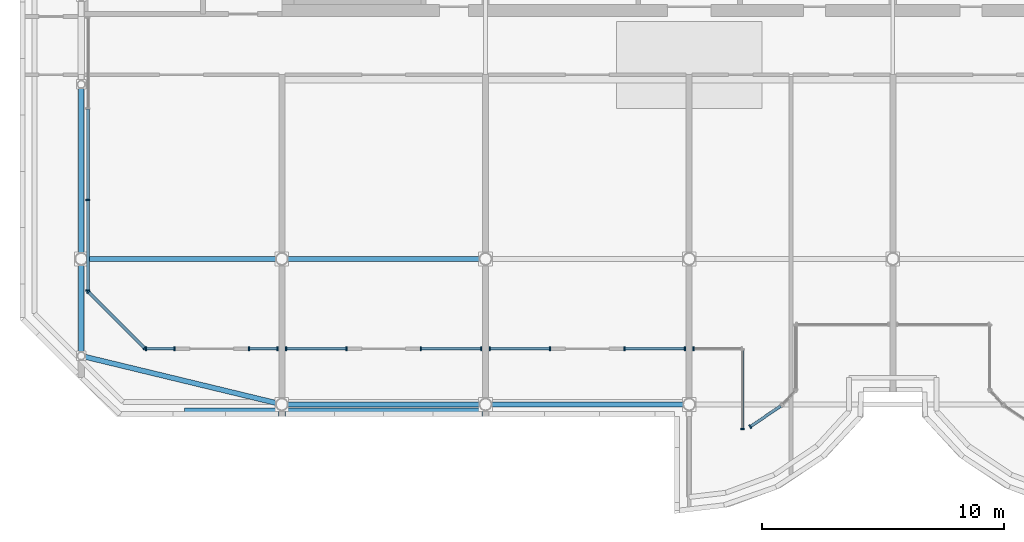
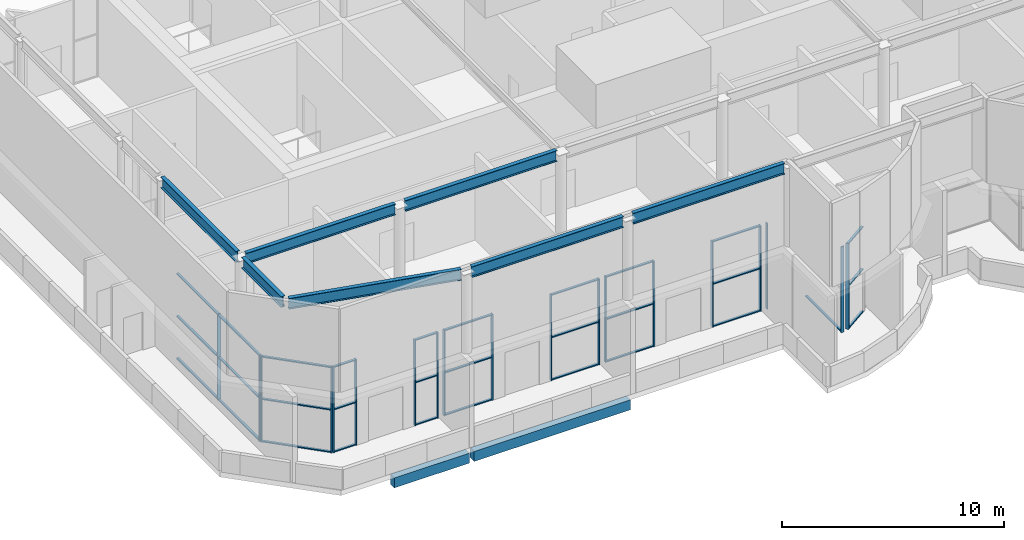
# One storey, part 6 of 25: 50 members, 9 beams, 11 elements without a shape of their own.
"""IFC4 building model written with IfcOpenShell, lengths in metres."""

from ifc_helpers import new_model, si_unit, direction, frame, origin, origin_2d, place, context, subcontext, project, spatial, rectangle, i_section, extrude, source, transform, mapped, material, material_profile, profile_set, type_object, element, aggregate, save


model = new_model("IFC4")

# Units and contexts
model_context = context("Model", 3, precision=1e-05, world=origin(), true_north=direction((0.0, 1.0)))
body_context = subcontext(model_context, "Body", "Model", "MODEL_VIEW")
ifc_project = project(units=[si_unit("LENGTHUNIT", "METRE"), si_unit("AREAUNIT", "SQUARE_METRE"), si_unit("VOLUMEUNIT", "CUBIC_METRE"), si_unit("PLANEANGLEUNIT", "RADIAN"), si_unit("MASSUNIT", "GRAM", prefix="KILO")], contexts=[model_context])

# Site, building, storey
site_placement = place(None, origin())
site = spatial("IfcSite", under=ifc_project, at=site_placement, CompositionType="ELEMENT")
building_placement = place(site_placement, origin())
building = spatial("IfcBuilding", under=site, at=building_placement, Name="Vanashikhar Sky Hotel", CompositionType="ELEMENT")
storey_placement = place(building_placement, frame((0.0, 0.0, 329.699951171875)))
storey = spatial("IfcBuildingStorey", under=building, at=storey_placement, Name="L78", CompositionType="ELEMENT", Elevation=329.699951171875)

# Beams
ifc_material_1 = material(Name="Concrete M50", Category="concrete")
ifc_material_profile_1 = material_profile(ifc_material_1, rectangle(XDim=0.35009765625, YDim=0.550048828125, at=origin_2d()))
ifc_profile_set_1 = profile_set([ifc_material_profile_1], Name="RC 350x550 beam Concrete M50")
beam_type_1 = type_object("IfcBeamType", Name="RC 350x550 beam Concrete M50", PredefinedType="SPANDREL", material=ifc_profile_set_1)
shared_shape_1 = source(origin(), body_context, "Body", "SweptSolid", [
    extrude(rectangle(XDim=0.35009765625, YDim=0.550048828125, at=origin_2d()), origin(), (0.0, 0.0, 1.0), 8.150146484375),
])
beam_1_placement = place(storey_placement, frame((25.324951171875, 5.675048828125, -0.554931640625), z_axis=(1.0, 0.0, 0.0), x_axis=(0.0, 1.0, 0.0)))
element("IfcBeam", 1, at=beam_1_placement, inside=storey, type_object=beam_type_1, Name="EB-L78-F01", PredefinedType="SPANDREL", context=body_context, shape_type="MappedRepresentation", body=[
    mapped(shared_shape_1, transform((0.0, 0.0, 0.0), scale=1.0)),
])
ifc_material_profile_2 = material_profile(ifc_material_1, rectangle(XDim=0.35009765625, YDim=0.550048828125, at=origin_2d()))
ifc_profile_set_2 = profile_set([ifc_material_profile_2], Name="RC 350x550 cantilever beam Concrete M50")
beam_type_2 = type_object("IfcBeamType", Name="RC 350x550 cantilever beam Concrete M50", PredefinedType="SPANDREL", material=ifc_profile_set_2)
shared_shape_2 = source(origin(), body_context, "Body", "SweptSolid", [
    extrude(rectangle(XDim=0.35009765625, YDim=0.550048828125, at=origin_2d()), origin(), (0.0, 0.0, 1.0), 3.89990234375),
])
beam_2_placement = place(storey_placement, frame((21.175048828125, 5.675048828125, -0.554931640625), z_axis=(1.0, 0.0, 0.0), x_axis=(0.0, 1.0, 0.0)))
element("IfcBeam", 2, at=beam_2_placement, inside=storey, type_object=beam_type_2, Name="EB-L78-F02", PredefinedType="SPANDREL", context=body_context, shape_type="MappedRepresentation", body=[
    mapped(shared_shape_2, transform((0.0, 0.0, 0.0), scale=1.0)),
])
ifc_material_2 = material(Name="Steel S355", Category="steel")
ifc_material_profile_3 = material_profile(ifc_material_2, i_section(OverallWidth=0.2099609375, OverallDepth=0.60009765625, WebThickness=0.011962890625, FlangeThickness=0.020751953125, at=origin_2d()), Name="ISMB 600")
ifc_profile_set_3 = profile_set([ifc_material_profile_3], Name="Steel S355")
beam_type_3 = type_object("IfcBeamType", Name="ISMB 600 Steel S355", PredefinedType="BEAM", material=ifc_profile_set_3)
shared_shape_3 = source(origin(), body_context, "Body", "SweptSolid", [
    extrude(i_section(OverallWidth=0.2099609375, OverallDepth=0.60009765625, WebThickness=0.011962890625, FlangeThickness=0.020751953125, at=origin_2d()), origin(), (0.0, 0.0, 1.0), 3.583984375),
])
beam_3_placement = place(storey_placement, frame((16.925048828125, 8.162109375, 9.300048828125), z_axis=(0.0, 1.0, 0.0), x_axis=(-1.0, 0.0, 0.0)))
element("IfcBeam", 3, at=beam_3_placement, inside=storey, type_object=beam_type_3, Name="CR-L78-W101", PredefinedType="BEAM", context=body_context, shape_type="MappedRepresentation", body=[
    mapped(shared_shape_3, transform((0.0, 0.0, 0.0), scale=1.0)),
])
shared_shape_4 = source(origin(), body_context, "Body", "SweptSolid", [
    extrude(i_section(OverallWidth=0.2099609375, OverallDepth=0.60009765625, WebThickness=0.011962890625, FlangeThickness=0.020751953125, at=origin_2d()), origin(), (0.0, 0.0, 1.0), 6.7841796875),
])
beam_4_placement = place(storey_placement, frame((16.925048828125, 12.25390625, 9.300048828125), z_axis=(0.0, 1.0, 0.0), x_axis=(-1.0, 0.0, 0.0)))
element("IfcBeam", 4, at=beam_4_placement, inside=storey, type_object=beam_type_3, Name="CR-L78-W102", PredefinedType="BEAM", context=body_context, shape_type="MappedRepresentation", body=[
    mapped(shared_shape_4, transform((0.0, 0.0, 0.0), scale=1.0)),
])
shared_shape_5 = source(origin(), body_context, "Body", "SweptSolid", [
    extrude(i_section(OverallWidth=0.2099609375, OverallDepth=0.60009765625, WebThickness=0.011962890625, FlangeThickness=0.020751953125, at=origin_2d()), origin(), (0.0, 0.0, 1.0), 8.09716796875),
])
beam_5_placement = place(storey_placement, frame((17.08251953125, 7.9619140625, 9.300048828125), z_axis=(0.972017430983, -0.234908735182, 0.0), x_axis=(0.234908735182, 0.972017430983, 0.0)))
element("IfcBeam", 5, at=beam_5_placement, inside=storey, type_object=beam_type_3, Name="CR-L78-WF1", PredefinedType="BEAM", context=body_context, shape_type="MappedRepresentation", body=[
    mapped(shared_shape_5, transform((0.0, 0.0, 0.0), scale=1.0)),
])
shared_shape_6 = source(origin(), body_context, "Body", "SweptSolid", [
    extrude(i_section(OverallWidth=0.2099609375, OverallDepth=0.60009765625, WebThickness=0.011962890625, FlangeThickness=0.020751953125, at=origin_2d()), origin(), (0.0, 0.0, 1.0), 7.891845703125),
])
for number, where, z_axis, x_axis, name in (
    (6, (25.4541015625, 6.0, 9.300048828125), (1.0, 0.0, 0.0), (0.0, 1.0, 0.0), "CR-L78-X01"),
    (7, (25.4541015625, 12.0, 9.300048828125), (1.0, 0.0, 0.0), (0.0, 1.0, 0.0), "CR-L78-X07"),
):
    element("IfcBeam", number, at=place(storey_placement, frame(where, z_axis=z_axis, x_axis=x_axis)), inside=storey, type_object=beam_type_3, Name=name, PredefinedType="BEAM", context=body_context, shape_type="MappedRepresentation", body=[
        mapped(shared_shape_6, transform((0.0, 0.0, 0.0), scale=1.0)),
    ])
shared_shape_7 = source(origin(), body_context, "Body", "SweptSolid", [
    extrude(i_section(OverallWidth=0.2099609375, OverallDepth=0.60009765625, WebThickness=0.011962890625, FlangeThickness=0.020751953125, at=origin_2d()), origin(), (0.0, 0.0, 1.0), 7.89208984375),
])
beam_6_placement = place(storey_placement, frame((33.85400390625, 6.0, 9.300048828125), z_axis=(1.0, 0.0, 0.0), x_axis=(0.0, 1.0, 0.0)))
element("IfcBeam", 8, at=beam_6_placement, inside=storey, type_object=beam_type_3, Name="CR-L78-X02", PredefinedType="BEAM", context=body_context, shape_type="MappedRepresentation", body=[
    mapped(shared_shape_7, transform((0.0, 0.0, 0.0), scale=1.0)),
])
shared_shape_8 = source(origin(), body_context, "Body", "SweptSolid", [
    extrude(i_section(OverallWidth=0.2099609375, OverallDepth=0.60009765625, WebThickness=0.011962890625, FlangeThickness=0.020751953125, at=origin_2d()), origin(), (0.0, 0.0, 1.0), 7.76708984375),
])
beam_7_placement = place(storey_placement, frame((17.178955078125, 12.0, 9.300048828125), z_axis=(1.0, 0.0, 0.0), x_axis=(0.0, 1.0, 0.0)))
element("IfcBeam", 9, at=beam_7_placement, inside=storey, type_object=beam_type_3, Name="CR-L78-X06", PredefinedType="BEAM", context=body_context, shape_type="MappedRepresentation", body=[
    mapped(shared_shape_8, transform((0.0, 0.0, 0.0), scale=1.0)),
])

# Curtain wall, members
ifc_material_3 = material(Name="Glass", Category="glass")
curtain_wall_type = type_object("IfcCurtainWallType", Name="Observation enclosure", PredefinedType="NOTDEFINED", material=ifc_material_3)
curtain_wall_1_placement = place(storey_placement, origin())
curtain_wall_1 = element("IfcCurtainWall", 10, at=curtain_wall_1_placement, inside=storey, type_object=curtain_wall_type, Name="Observation enclosure", PredefinedType="NOTDEFINED")
ifc_material_4 = material(Name="Aluminium 6063-T6", Category="aluminium")
ifc_material_profile_4 = material_profile(ifc_material_4, rectangle(XDim=0.159912109375, YDim=0.06005859375, at=origin_2d()))
ifc_profile_set_4 = profile_set([ifc_material_profile_4], Name="Aluminium 6063-T6")
member_type_1 = type_object("IfcMemberType", Name="Observation mullion 60 x 160", PredefinedType="MULLION", material=ifc_profile_set_4)
shared_shape_9 = source(origin(), body_context, "Body", "SweptSolid", [
    extrude(rectangle(XDim=0.159912109375, YDim=0.06005859375, at=origin_2d()), origin(), (0.0, 0.0, 1.0), 4.719970703125),
])
member_1_placement = place(storey_placement, frame((17.199951171875, 14.43310546875, 0.0), z_axis=(0.0, 0.0, 1.0), x_axis=(1.0, 0.0, 0.0)))
member_1 = element("IfcMember", 11, at=member_1_placement, type_object=member_type_1, Name="CW-6 mullion 3", PredefinedType="MULLION", context=body_context, shape_type="MappedRepresentation", body=[
    mapped(shared_shape_9, transform((0.0, 0.0, 0.0), scale=1.0)),
])
member_2_placement = place(storey_placement, frame((17.199951171875, 10.689697265625, 0.0), z_axis=(0.0, 0.0, 1.0), x_axis=(1.0, 0.0, 0.0)))
member_2 = element("IfcMember", 12, at=member_2_placement, type_object=member_type_1, Name="CW-6 mullion 4", PredefinedType="MULLION", context=body_context, shape_type="MappedRepresentation", body=[
    mapped(shared_shape_9, transform((0.0, 0.0, 0.0), scale=1.0)),
])

curtain_wall_2_placement = place(storey_placement, origin())
curtain_wall_2 = element("IfcCurtainWall", 13, at=curtain_wall_2_placement, inside=storey, type_object=curtain_wall_type, Name="Observation enclosure", PredefinedType="NOTDEFINED")
member_3_placement = place(storey_placement, frame((17.22119140625, 10.638671875, 0.0), z_axis=(0.0, 0.0, 1.0), x_axis=(0.707106781187, 0.707106781187, 0.0)))
member_3 = element("IfcMember", 14, at=member_3_placement, type_object=member_type_1, Name="CW-6 mullion 1", PredefinedType="MULLION", context=body_context, shape_type="MappedRepresentation", body=[
    mapped(shared_shape_9, transform((0.0, 0.0, 0.0), scale=1.0)),
])
member_4_placement = place(storey_placement, frame((19.53857421875, 8.3212890625, 0.0), z_axis=(0.0, 0.0, 1.0), x_axis=(0.707106781187, 0.707106781187, 0.0)))
member_4 = element("IfcMember", 15, at=member_4_placement, type_object=member_type_1, Name="CW-6 mullion 2", PredefinedType="MULLION", context=body_context, shape_type="MappedRepresentation", body=[
    mapped(shared_shape_9, transform((0.0, 0.0, 0.0), scale=1.0)),
])

curtain_wall_3_placement = place(storey_placement, origin())
curtain_wall_3 = element("IfcCurtainWall", 16, at=curtain_wall_3_placement, inside=storey, type_object=curtain_wall_type, Name="Observation enclosure", PredefinedType="NOTDEFINED")
member_5_placement = place(storey_placement, frame((19.58984375, 8.300048828125, 0.0), z_axis=(0.0, 0.0, 1.0), x_axis=(0.0, 1.0, 0.0)))
member_5 = element("IfcMember", 17, at=member_5_placement, type_object=member_type_1, Name="CW-6 mullion 1", PredefinedType="MULLION", context=body_context, shape_type="MappedRepresentation", body=[
    mapped(shared_shape_9, transform((0.0, 0.0, 0.0), scale=1.0)),
])
member_6_placement = place(storey_placement, frame((20.77734375, 8.300048828125, 0.0), z_axis=(0.0, 0.0, 1.0), x_axis=(0.0, 1.0, 0.0)))
member_6 = element("IfcMember", 18, at=member_6_placement, type_object=member_type_1, Name="CW-6 mullion 2", PredefinedType="MULLION", context=body_context, shape_type="MappedRepresentation", body=[
    mapped(shared_shape_9, transform((0.0, 0.0, 0.0), scale=1.0)),
])

curtain_wall_4_placement = place(storey_placement, origin())
curtain_wall_4 = element("IfcCurtainWall", 19, at=curtain_wall_4_placement, inside=storey, type_object=curtain_wall_type, Name="Observation enclosure", PredefinedType="NOTDEFINED")
member_7_placement = place(storey_placement, frame((23.83740234375, 8.300048828125, 0.0), z_axis=(0.0, 0.0, 1.0), x_axis=(0.0, 1.0, 0.0)))
member_7 = element("IfcMember", 20, at=member_7_placement, type_object=member_type_1, Name="CW-6 mullion 1", PredefinedType="MULLION", context=body_context, shape_type="MappedRepresentation", body=[
    mapped(shared_shape_9, transform((0.0, 0.0, 0.0), scale=1.0)),
])
member_8_placement = place(storey_placement, frame((25.02490234375, 8.300048828125, 0.0), z_axis=(0.0, 0.0, 1.0), x_axis=(0.0, 1.0, 0.0)))
member_8 = element("IfcMember", 21, at=member_8_placement, type_object=member_type_1, Name="CW-6 mullion 2", PredefinedType="MULLION", context=body_context, shape_type="MappedRepresentation", body=[
    mapped(shared_shape_9, transform((0.0, 0.0, 0.0), scale=1.0)),
])

curtain_wall_5_placement = place(storey_placement, origin())
curtain_wall_5 = element("IfcCurtainWall", 22, at=curtain_wall_5_placement, inside=storey, type_object=curtain_wall_type, Name="Observation enclosure", PredefinedType="NOTDEFINED")
member_9_placement = place(storey_placement, frame((25.375, 8.300048828125, 0.0), z_axis=(0.0, 0.0, 1.0), x_axis=(0.0, 1.0, 0.0)))
member_9 = element("IfcMember", 23, at=member_9_placement, type_object=member_type_1, Name="CW-6 mullion 1", PredefinedType="MULLION", context=body_context, shape_type="MappedRepresentation", body=[
    mapped(shared_shape_9, transform((0.0, 0.0, 0.0), scale=1.0)),
])
member_10_placement = place(storey_placement, frame((27.8701171875, 8.300048828125, 0.0), z_axis=(0.0, 0.0, 1.0), x_axis=(0.0, 1.0, 0.0)))
member_10 = element("IfcMember", 24, at=member_10_placement, type_object=member_type_1, Name="CW-6 mullion 2", PredefinedType="MULLION", context=body_context, shape_type="MappedRepresentation", body=[
    mapped(shared_shape_9, transform((0.0, 0.0, 0.0), scale=1.0)),
])

curtain_wall_6_placement = place(storey_placement, origin())
curtain_wall_6 = element("IfcCurtainWall", 25, at=curtain_wall_6_placement, inside=storey, type_object=curtain_wall_type, Name="Observation enclosure", PredefinedType="NOTDEFINED")
member_11_placement = place(storey_placement, frame((30.929931640625, 8.300048828125, 0.0), z_axis=(0.0, 0.0, 1.0), x_axis=(0.0, 1.0, 0.0)))
member_11 = element("IfcMember", 26, at=member_11_placement, type_object=member_type_1, Name="CW-6 mullion 1", PredefinedType="MULLION", context=body_context, shape_type="MappedRepresentation", body=[
    mapped(shared_shape_9, transform((0.0, 0.0, 0.0), scale=1.0)),
])
member_12_placement = place(storey_placement, frame((33.425048828125, 8.300048828125, 0.0), z_axis=(0.0, 0.0, 1.0), x_axis=(0.0, 1.0, 0.0)))
member_12 = element("IfcMember", 27, at=member_12_placement, type_object=member_type_1, Name="CW-6 mullion 2", PredefinedType="MULLION", context=body_context, shape_type="MappedRepresentation", body=[
    mapped(shared_shape_9, transform((0.0, 0.0, 0.0), scale=1.0)),
])

curtain_wall_7_placement = place(storey_placement, origin())
curtain_wall_7 = element("IfcCurtainWall", 28, at=curtain_wall_7_placement, inside=storey, type_object=curtain_wall_type, Name="Observation enclosure", PredefinedType="NOTDEFINED")
member_13_placement = place(storey_placement, frame((33.77490234375, 8.300048828125, 0.0), z_axis=(0.0, 0.0, 1.0), x_axis=(0.0, 1.0, 0.0)))
member_13 = element("IfcMember", 29, at=member_13_placement, type_object=member_type_1, Name="CW-6 mullion 1", PredefinedType="MULLION", context=body_context, shape_type="MappedRepresentation", body=[
    mapped(shared_shape_9, transform((0.0, 0.0, 0.0), scale=1.0)),
])
member_14_placement = place(storey_placement, frame((36.27001953125, 8.300048828125, 0.0), z_axis=(0.0, 0.0, 1.0), x_axis=(0.0, 1.0, 0.0)))
member_14 = element("IfcMember", 30, at=member_14_placement, type_object=member_type_1, Name="CW-6 mullion 2", PredefinedType="MULLION", context=body_context, shape_type="MappedRepresentation", body=[
    mapped(shared_shape_9, transform((0.0, 0.0, 0.0), scale=1.0)),
])

curtain_wall_8_placement = place(storey_placement, origin())
curtain_wall_8 = element("IfcCurtainWall", 31, at=curtain_wall_8_placement, inside=storey, type_object=curtain_wall_type, Name="Observation enclosure", PredefinedType="NOTDEFINED")
member_15_placement = place(storey_placement, frame((39.330078125, 8.300048828125, 0.0), z_axis=(0.0, 0.0, 1.0), x_axis=(0.0, 1.0, 0.0)))
member_15 = element("IfcMember", 32, at=member_15_placement, type_object=member_type_1, Name="CW-6 mullion 1", PredefinedType="MULLION", context=body_context, shape_type="MappedRepresentation", body=[
    mapped(shared_shape_9, transform((0.0, 0.0, 0.0), scale=1.0)),
])
member_16_placement = place(storey_placement, frame((41.824951171875, 8.300048828125, 0.0), z_axis=(0.0, 0.0, 1.0), x_axis=(0.0, 1.0, 0.0)))
member_16 = element("IfcMember", 33, at=member_16_placement, type_object=member_type_1, Name="CW-6 mullion 2", PredefinedType="MULLION", context=body_context, shape_type="MappedRepresentation", body=[
    mapped(shared_shape_9, transform((0.0, 0.0, 0.0), scale=1.0)),
])

# Curtain wall, member
curtain_wall_9_placement = place(storey_placement, origin())
curtain_wall_9 = element("IfcCurtainWall", 34, at=curtain_wall_9_placement, inside=storey, type_object=curtain_wall_type, Name="Observation enclosure", PredefinedType="NOTDEFINED")
member_17_placement = place(storey_placement, frame((42.175048828125, 8.300048828125, 0.0), z_axis=(0.0, 0.0, 1.0), x_axis=(0.0, 1.0, 0.0)))
member_17 = element("IfcMember", 35, at=member_17_placement, type_object=member_type_1, Name="CW-6 mullion 1", PredefinedType="MULLION", context=body_context, shape_type="MappedRepresentation", body=[
    mapped(shared_shape_9, transform((0.0, 0.0, 0.0), scale=1.0)),
])
aggregate(curtain_wall_9, [member_17])

curtain_wall_10_placement = place(storey_placement, origin())
curtain_wall_10 = element("IfcCurtainWall", 36, at=curtain_wall_10_placement, inside=storey, type_object=curtain_wall_type, Name="Observation enclosure", PredefinedType="NOTDEFINED")
member_18_placement = place(storey_placement, frame((44.199951171875, 4.9873046875, 0.0), z_axis=(0.0, 0.0, 1.0), x_axis=(1.0, 0.0, 0.0)))
member_18 = element("IfcMember", 37, at=member_18_placement, type_object=member_type_1, Name="CW-6 mullion 2", PredefinedType="MULLION", context=body_context, shape_type="MappedRepresentation", body=[
    mapped(shared_shape_9, transform((0.0, 0.0, 0.0), scale=1.0)),
])

curtain_wall_11_placement = place(storey_placement, origin())
curtain_wall_11 = element("IfcCurtainWall", 38, at=curtain_wall_11_placement, inside=storey, type_object=curtain_wall_type, Name="Observation enclosure", PredefinedType="NOTDEFINED")
member_19_placement = place(storey_placement, frame((44.521240234375, 5.083740234375, 0.0), z_axis=(0.0, 0.0, 1.0), x_axis=(-0.558363167868, 0.829596632568, 0.0)))
member_19 = element("IfcMember", 39, at=member_19_placement, type_object=member_type_1, Name="CW-6 mullion 1", PredefinedType="MULLION", context=body_context, shape_type="MappedRepresentation", body=[
    mapped(shared_shape_9, transform((0.0, 0.0, 0.0), scale=1.0)),
])

# Member
ifc_material_profile_5 = material_profile(ifc_material_4, rectangle(XDim=0.1201171875, YDim=0.06005859375, at=origin_2d()))
ifc_profile_set_5 = profile_set([ifc_material_profile_5], Name="Aluminium 6063-T6")
member_type_2 = type_object("IfcMemberType", Name="Observation transom 60 x 120", PredefinedType="USERDEFINED", material=ifc_profile_set_5)
shared_shape_10 = source(origin(), body_context, "Body", "SweptSolid", [
    extrude(rectangle(XDim=0.1201171875, YDim=0.06005859375, at=origin_2d()), origin(), (0.0, 0.0, 1.0), 3.21728515625),
])
member_20_placement = place(storey_placement, frame((17.242431640625, 10.617431640625, 0.030029296875), z_axis=(0.707106781187, -0.707106781187, 0.0), x_axis=(0.707106781187, 0.707106781187, 0.0)))
member_20 = element("IfcMember", 40, at=member_20_placement, type_object=member_type_2, Name="CW-6 transom 1.1", ObjectType="TRANSOM", PredefinedType="USERDEFINED", context=body_context, shape_type="MappedRepresentation", body=[
    mapped(shared_shape_10, transform((0.0, 0.0, 0.0), scale=1.0)),
])

member_21_placement = place(storey_placement, frame((17.242431640625, 10.617431640625, 2.360107421875), z_axis=(0.707106781187, -0.707106781187, 0.0), x_axis=(0.707106781187, 0.707106781187, 0.0)))
member_21 = element("IfcMember", 41, at=member_21_placement, type_object=member_type_2, Name="CW-6 transom 1.2", ObjectType="TRANSOM", PredefinedType="USERDEFINED", context=body_context, shape_type="MappedRepresentation", body=[
    mapped(shared_shape_10, transform((0.0, 0.0, 0.0), scale=1.0)),
])

member_22_placement = place(storey_placement, frame((17.242431640625, 10.617431640625, 4.68994140625), z_axis=(0.707106781187, -0.707106781187, 0.0), x_axis=(0.707106781187, 0.707106781187, 0.0)))
member_22 = element("IfcMember", 42, at=member_22_placement, type_object=member_type_2, Name="CW-6 transom 1.3", ObjectType="TRANSOM", PredefinedType="USERDEFINED", context=body_context, shape_type="MappedRepresentation", body=[
    mapped(shared_shape_10, transform((0.0, 0.0, 0.0), scale=1.0)),
])

aggregate(curtain_wall_2, [member_3, member_4, member_20, member_21, member_22])

shared_shape_11 = source(origin(), body_context, "Body", "SweptSolid", [
    extrude(rectangle(XDim=0.1201171875, YDim=0.06005859375, at=origin_2d()), origin(), (0.0, 0.0, 1.0), 3.71337890625),
])
member_23_placement = place(storey_placement, frame((17.199951171875, 18.176513671875, 0.030029296875), z_axis=(0.0, -1.0, 0.0), x_axis=(1.0, 0.0, 0.0)))
member_23 = element("IfcMember", 43, at=member_23_placement, type_object=member_type_2, Name="CW-6 transom 2.1", ObjectType="TRANSOM", PredefinedType="USERDEFINED", context=body_context, shape_type="MappedRepresentation", body=[
    mapped(shared_shape_11, transform((0.0, 0.0, 0.0), scale=1.0)),
])

member_24_placement = place(storey_placement, frame((17.199951171875, 18.176513671875, 2.360107421875), z_axis=(0.0, -1.0, 0.0), x_axis=(1.0, 0.0, 0.0)))
member_24 = element("IfcMember", 44, at=member_24_placement, type_object=member_type_2, Name="CW-6 transom 2.2", ObjectType="TRANSOM", PredefinedType="USERDEFINED", context=body_context, shape_type="MappedRepresentation", body=[
    mapped(shared_shape_11, transform((0.0, 0.0, 0.0), scale=1.0)),
])

member_25_placement = place(storey_placement, frame((17.199951171875, 18.176513671875, 4.68994140625), z_axis=(0.0, -1.0, 0.0), x_axis=(1.0, 0.0, 0.0)))
member_25 = element("IfcMember", 45, at=member_25_placement, type_object=member_type_2, Name="CW-6 transom 2.3", ObjectType="TRANSOM", PredefinedType="USERDEFINED", context=body_context, shape_type="MappedRepresentation", body=[
    mapped(shared_shape_11, transform((0.0, 0.0, 0.0), scale=1.0)),
])

shared_shape_12 = source(origin(), body_context, "Body", "SweptSolid", [
    extrude(rectangle(XDim=0.1201171875, YDim=0.06005859375, at=origin_2d()), origin(), (0.0, 0.0, 1.0), 3.68359375),
])
member_26_placement = place(storey_placement, frame((17.199951171875, 14.4033203125, 0.030029296875), z_axis=(0.0, -1.0, 0.0), x_axis=(1.0, 0.0, 0.0)))
member_26 = element("IfcMember", 46, at=member_26_placement, type_object=member_type_2, Name="CW-6 transom 3.1", ObjectType="TRANSOM", PredefinedType="USERDEFINED", context=body_context, shape_type="MappedRepresentation", body=[
    mapped(shared_shape_12, transform((0.0, 0.0, 0.0), scale=1.0)),
])

member_27_placement = place(storey_placement, frame((17.199951171875, 14.4033203125, 2.360107421875), z_axis=(0.0, -1.0, 0.0), x_axis=(1.0, 0.0, 0.0)))
member_27 = element("IfcMember", 47, at=member_27_placement, type_object=member_type_2, Name="CW-6 transom 3.2", ObjectType="TRANSOM", PredefinedType="USERDEFINED", context=body_context, shape_type="MappedRepresentation", body=[
    mapped(shared_shape_12, transform((0.0, 0.0, 0.0), scale=1.0)),
])

member_28_placement = place(storey_placement, frame((17.199951171875, 14.4033203125, 4.68994140625), z_axis=(0.0, -1.0, 0.0), x_axis=(1.0, 0.0, 0.0)))
member_28 = element("IfcMember", 48, at=member_28_placement, type_object=member_type_2, Name="CW-6 transom 3.3", ObjectType="TRANSOM", PredefinedType="USERDEFINED", context=body_context, shape_type="MappedRepresentation", body=[
    mapped(shared_shape_12, transform((0.0, 0.0, 0.0), scale=1.0)),
])

aggregate(curtain_wall_1, [member_1, member_2, member_23, member_24, member_25, member_26, member_27, member_28])

shared_shape_13 = source(origin(), body_context, "Body", "SweptSolid", [
    extrude(rectangle(XDim=0.1201171875, YDim=0.06005859375, at=origin_2d()), origin(), (0.0, 0.0, 1.0), 1.12744140625),
])
member_29_placement = place(storey_placement, frame((19.619873046875, 8.300048828125, 0.030029296875), z_axis=(1.0, 0.0, 0.0), x_axis=(0.0, 1.0, 0.0)))
member_29 = element("IfcMember", 49, at=member_29_placement, type_object=member_type_2, Name="CW-6 transom 1.1", ObjectType="TRANSOM", PredefinedType="USERDEFINED", context=body_context, shape_type="MappedRepresentation", body=[
    mapped(shared_shape_13, transform((0.0, 0.0, 0.0), scale=1.0)),
])

member_30_placement = place(storey_placement, frame((19.619873046875, 8.300048828125, 2.360107421875), z_axis=(1.0, 0.0, 0.0), x_axis=(0.0, 1.0, 0.0)))
member_30 = element("IfcMember", 50, at=member_30_placement, type_object=member_type_2, Name="CW-6 transom 1.2", ObjectType="TRANSOM", PredefinedType="USERDEFINED", context=body_context, shape_type="MappedRepresentation", body=[
    mapped(shared_shape_13, transform((0.0, 0.0, 0.0), scale=1.0)),
])

member_31_placement = place(storey_placement, frame((19.619873046875, 8.300048828125, 4.68994140625), z_axis=(1.0, 0.0, 0.0), x_axis=(0.0, 1.0, 0.0)))
member_31 = element("IfcMember", 51, at=member_31_placement, type_object=member_type_2, Name="CW-6 transom 1.3", ObjectType="TRANSOM", PredefinedType="USERDEFINED", context=body_context, shape_type="MappedRepresentation", body=[
    mapped(shared_shape_13, transform((0.0, 0.0, 0.0), scale=1.0)),
])

aggregate(curtain_wall_3, [member_5, member_6, member_29, member_30, member_31])

shared_shape_14 = source(origin(), body_context, "Body", "SweptSolid", [
    extrude(rectangle(XDim=0.1201171875, YDim=0.06005859375, at=origin_2d()), origin(), (0.0, 0.0, 1.0), 1.127685546875),
])
member_32_placement = place(storey_placement, frame((23.867431640625, 8.300048828125, 0.030029296875), z_axis=(1.0, 0.0, 0.0), x_axis=(0.0, 1.0, 0.0)))
member_32 = element("IfcMember", 52, at=member_32_placement, type_object=member_type_2, Name="CW-6 transom 1.1", ObjectType="TRANSOM", PredefinedType="USERDEFINED", context=body_context, shape_type="MappedRepresentation", body=[
    mapped(shared_shape_14, transform((0.0, 0.0, 0.0), scale=1.0)),
])

member_33_placement = place(storey_placement, frame((23.867431640625, 8.300048828125, 2.360107421875), z_axis=(1.0, 0.0, 0.0), x_axis=(0.0, 1.0, 0.0)))
member_33 = element("IfcMember", 53, at=member_33_placement, type_object=member_type_2, Name="CW-6 transom 1.2", ObjectType="TRANSOM", PredefinedType="USERDEFINED", context=body_context, shape_type="MappedRepresentation", body=[
    mapped(shared_shape_14, transform((0.0, 0.0, 0.0), scale=1.0)),
])

member_34_placement = place(storey_placement, frame((23.867431640625, 8.300048828125, 4.68994140625), z_axis=(1.0, 0.0, 0.0), x_axis=(0.0, 1.0, 0.0)))
member_34 = element("IfcMember", 54, at=member_34_placement, type_object=member_type_2, Name="CW-6 transom 1.3", ObjectType="TRANSOM", PredefinedType="USERDEFINED", context=body_context, shape_type="MappedRepresentation", body=[
    mapped(shared_shape_14, transform((0.0, 0.0, 0.0), scale=1.0)),
])

aggregate(curtain_wall_4, [member_7, member_8, member_32, member_33, member_34])

shared_shape_15 = source(origin(), body_context, "Body", "SweptSolid", [
    extrude(rectangle(XDim=0.1201171875, YDim=0.06005859375, at=origin_2d()), origin(), (0.0, 0.0, 1.0), 2.43505859375),
])
member_35_placement = place(storey_placement, frame((25.405029296875, 8.300048828125, 0.030029296875), z_axis=(1.0, 0.0, 0.0), x_axis=(0.0, 1.0, 0.0)))
member_35 = element("IfcMember", 55, at=member_35_placement, type_object=member_type_2, Name="CW-6 transom 1.1", ObjectType="TRANSOM", PredefinedType="USERDEFINED", context=body_context, shape_type="MappedRepresentation", body=[
    mapped(shared_shape_15, transform((0.0, 0.0, 0.0), scale=1.0)),
])

member_36_placement = place(storey_placement, frame((25.405029296875, 8.300048828125, 2.360107421875), z_axis=(1.0, 0.0, 0.0), x_axis=(0.0, 1.0, 0.0)))
member_36 = element("IfcMember", 56, at=member_36_placement, type_object=member_type_2, Name="CW-6 transom 1.2", ObjectType="TRANSOM", PredefinedType="USERDEFINED", context=body_context, shape_type="MappedRepresentation", body=[
    mapped(shared_shape_15, transform((0.0, 0.0, 0.0), scale=1.0)),
])

member_37_placement = place(storey_placement, frame((25.405029296875, 8.300048828125, 4.68994140625), z_axis=(1.0, 0.0, 0.0), x_axis=(0.0, 1.0, 0.0)))
member_37 = element("IfcMember", 57, at=member_37_placement, type_object=member_type_2, Name="CW-6 transom 1.3", ObjectType="TRANSOM", PredefinedType="USERDEFINED", context=body_context, shape_type="MappedRepresentation", body=[
    mapped(shared_shape_15, transform((0.0, 0.0, 0.0), scale=1.0)),
])

aggregate(curtain_wall_5, [member_9, member_10, member_35, member_36, member_37])

member_38_placement = place(storey_placement, frame((30.9599609375, 8.300048828125, 0.030029296875), z_axis=(1.0, 0.0, 0.0), x_axis=(0.0, 1.0, 0.0)))
member_38 = element("IfcMember", 58, at=member_38_placement, type_object=member_type_2, Name="CW-6 transom 1.1", ObjectType="TRANSOM", PredefinedType="USERDEFINED", context=body_context, shape_type="MappedRepresentation", body=[
    mapped(shared_shape_15, transform((0.0, 0.0, 0.0), scale=1.0)),
])

member_39_placement = place(storey_placement, frame((30.9599609375, 8.300048828125, 2.360107421875), z_axis=(1.0, 0.0, 0.0), x_axis=(0.0, 1.0, 0.0)))
member_39 = element("IfcMember", 59, at=member_39_placement, type_object=member_type_2, Name="CW-6 transom 1.2", ObjectType="TRANSOM", PredefinedType="USERDEFINED", context=body_context, shape_type="MappedRepresentation", body=[
    mapped(shared_shape_15, transform((0.0, 0.0, 0.0), scale=1.0)),
])

member_40_placement = place(storey_placement, frame((30.9599609375, 8.300048828125, 4.68994140625), z_axis=(1.0, 0.0, 0.0), x_axis=(0.0, 1.0, 0.0)))
member_40 = element("IfcMember", 60, at=member_40_placement, type_object=member_type_2, Name="CW-6 transom 1.3", ObjectType="TRANSOM", PredefinedType="USERDEFINED", context=body_context, shape_type="MappedRepresentation", body=[
    mapped(shared_shape_15, transform((0.0, 0.0, 0.0), scale=1.0)),
])

aggregate(curtain_wall_6, [member_11, member_12, member_38, member_39, member_40])

member_41_placement = place(storey_placement, frame((33.804931640625, 8.300048828125, 0.030029296875), z_axis=(1.0, 0.0, 0.0), x_axis=(0.0, 1.0, 0.0)))
member_41 = element("IfcMember", 61, at=member_41_placement, type_object=member_type_2, Name="CW-6 transom 1.1", ObjectType="TRANSOM", PredefinedType="USERDEFINED", context=body_context, shape_type="MappedRepresentation", body=[
    mapped(shared_shape_15, transform((0.0, 0.0, 0.0), scale=1.0)),
])

member_42_placement = place(storey_placement, frame((33.804931640625, 8.300048828125, 2.360107421875), z_axis=(1.0, 0.0, 0.0), x_axis=(0.0, 1.0, 0.0)))
member_42 = element("IfcMember", 62, at=member_42_placement, type_object=member_type_2, Name="CW-6 transom 1.2", ObjectType="TRANSOM", PredefinedType="USERDEFINED", context=body_context, shape_type="MappedRepresentation", body=[
    mapped(shared_shape_15, transform((0.0, 0.0, 0.0), scale=1.0)),
])

member_43_placement = place(storey_placement, frame((33.804931640625, 8.300048828125, 4.68994140625), z_axis=(1.0, 0.0, 0.0), x_axis=(0.0, 1.0, 0.0)))
member_43 = element("IfcMember", 63, at=member_43_placement, type_object=member_type_2, Name="CW-6 transom 1.3", ObjectType="TRANSOM", PredefinedType="USERDEFINED", context=body_context, shape_type="MappedRepresentation", body=[
    mapped(shared_shape_15, transform((0.0, 0.0, 0.0), scale=1.0)),
])

aggregate(curtain_wall_7, [member_13, member_14, member_41, member_42, member_43])

shared_shape_16 = source(origin(), body_context, "Body", "SweptSolid", [
    extrude(rectangle(XDim=0.1201171875, YDim=0.06005859375, at=origin_2d()), origin(), (0.0, 0.0, 1.0), 2.434814453125),
])
member_44_placement = place(storey_placement, frame((39.360107421875, 8.300048828125, 0.030029296875), z_axis=(1.0, 0.0, 0.0), x_axis=(0.0, 1.0, 0.0)))
member_44 = element("IfcMember", 64, at=member_44_placement, type_object=member_type_2, Name="CW-6 transom 1.1", ObjectType="TRANSOM", PredefinedType="USERDEFINED", context=body_context, shape_type="MappedRepresentation", body=[
    mapped(shared_shape_16, transform((0.0, 0.0, 0.0), scale=1.0)),
])

member_45_placement = place(storey_placement, frame((39.360107421875, 8.300048828125, 2.360107421875), z_axis=(1.0, 0.0, 0.0), x_axis=(0.0, 1.0, 0.0)))
member_45 = element("IfcMember", 65, at=member_45_placement, type_object=member_type_2, Name="CW-6 transom 1.2", ObjectType="TRANSOM", PredefinedType="USERDEFINED", context=body_context, shape_type="MappedRepresentation", body=[
    mapped(shared_shape_16, transform((0.0, 0.0, 0.0), scale=1.0)),
])

member_46_placement = place(storey_placement, frame((39.360107421875, 8.300048828125, 4.68994140625), z_axis=(1.0, 0.0, 0.0), x_axis=(0.0, 1.0, 0.0)))
member_46 = element("IfcMember", 66, at=member_46_placement, type_object=member_type_2, Name="CW-6 transom 1.3", ObjectType="TRANSOM", PredefinedType="USERDEFINED", context=body_context, shape_type="MappedRepresentation", body=[
    mapped(shared_shape_16, transform((0.0, 0.0, 0.0), scale=1.0)),
])

aggregate(curtain_wall_8, [member_15, member_16, member_44, member_45, member_46])

shared_shape_17 = source(origin(), body_context, "Body", "SweptSolid", [
    extrude(rectangle(XDim=0.1201171875, YDim=0.06005859375, at=origin_2d()), origin(), (0.0, 0.0, 1.0), 3.222900390625),
])
member_47_placement = place(storey_placement, frame((44.199951171875, 8.239990234375, 0.030029296875), z_axis=(0.0, -1.0, 0.0), x_axis=(1.0, 0.0, 0.0)))
member_47 = element("IfcMember", 67, at=member_47_placement, type_object=member_type_2, Name="CW-6 transom 1.1", ObjectType="TRANSOM", PredefinedType="USERDEFINED", context=body_context, shape_type="MappedRepresentation", body=[
    mapped(shared_shape_17, transform((0.0, 0.0, 0.0), scale=1.0)),
])

aggregate(curtain_wall_10, [member_18, member_47])

shared_shape_18 = source(origin(), body_context, "Body", "SweptSolid", [
    extrude(rectangle(XDim=0.1201171875, YDim=0.06005859375, at=origin_2d()), origin(), (0.0, 0.0, 1.0), 1.484130859375),
])
member_48_placement = place(storey_placement, frame((44.546142578125, 5.1005859375, 0.030029296875), z_axis=(0.829612659525, 0.558339354834, 0.0), x_axis=(-0.558339354834, 0.829612659525, 0.0)))
member_48 = element("IfcMember", 68, at=member_48_placement, type_object=member_type_2, Name="CW-6 transom 1.1", ObjectType="TRANSOM", PredefinedType="USERDEFINED", context=body_context, shape_type="MappedRepresentation", body=[
    mapped(shared_shape_18, transform((0.0, 0.0, 0.0), scale=1.0)),
])

member_49_placement = place(storey_placement, frame((44.546142578125, 5.1005859375, 2.360107421875), z_axis=(0.829612659525, 0.558339354834, 0.0), x_axis=(-0.558339354834, 0.829612659525, 0.0)))
member_49 = element("IfcMember", 69, at=member_49_placement, type_object=member_type_2, Name="CW-6 transom 1.2", ObjectType="TRANSOM", PredefinedType="USERDEFINED", context=body_context, shape_type="MappedRepresentation", body=[
    mapped(shared_shape_18, transform((0.0, 0.0, 0.0), scale=1.0)),
])

member_50_placement = place(storey_placement, frame((44.546142578125, 5.1005859375, 4.68994140625), z_axis=(0.829612659525, 0.558339354834, 0.0), x_axis=(-0.558339354834, 0.829612659525, 0.0)))
member_50 = element("IfcMember", 70, at=member_50_placement, type_object=member_type_2, Name="CW-6 transom 1.3", ObjectType="TRANSOM", PredefinedType="USERDEFINED", context=body_context, shape_type="MappedRepresentation", body=[
    mapped(shared_shape_18, transform((0.0, 0.0, 0.0), scale=1.0)),
])

aggregate(curtain_wall_11, [member_19, member_48, member_49, member_50])

save(model, "model.ifc")
